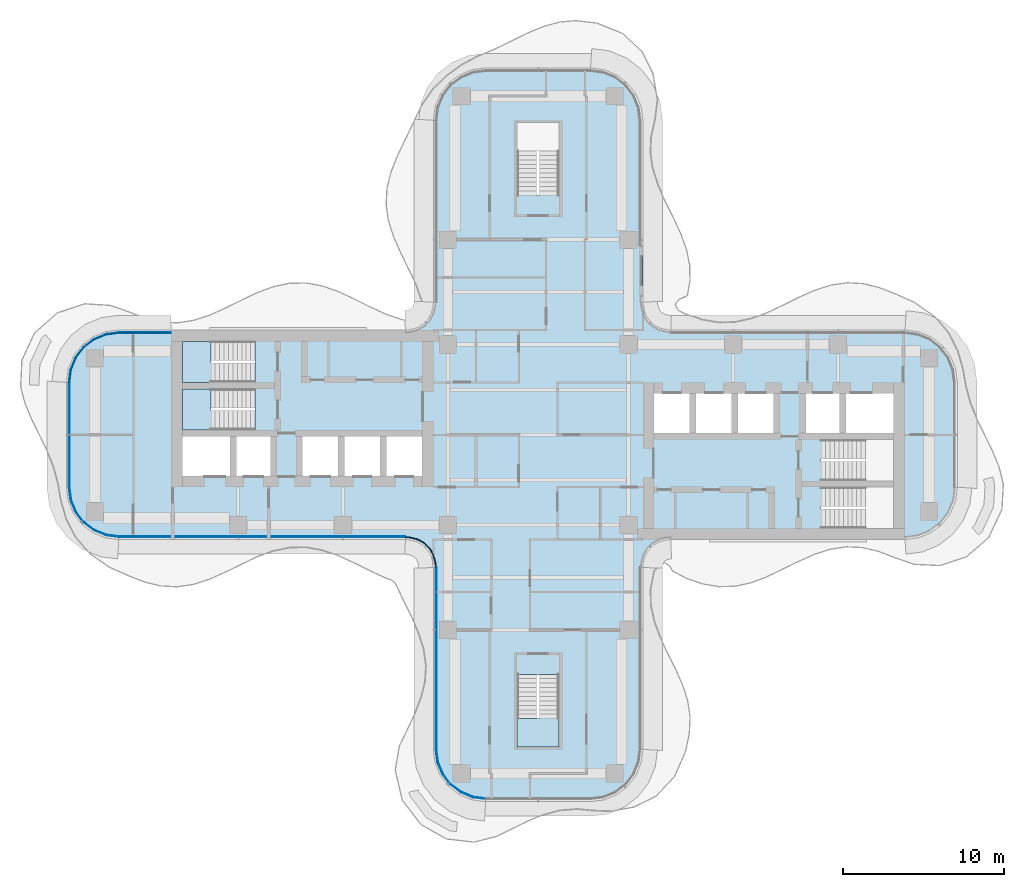
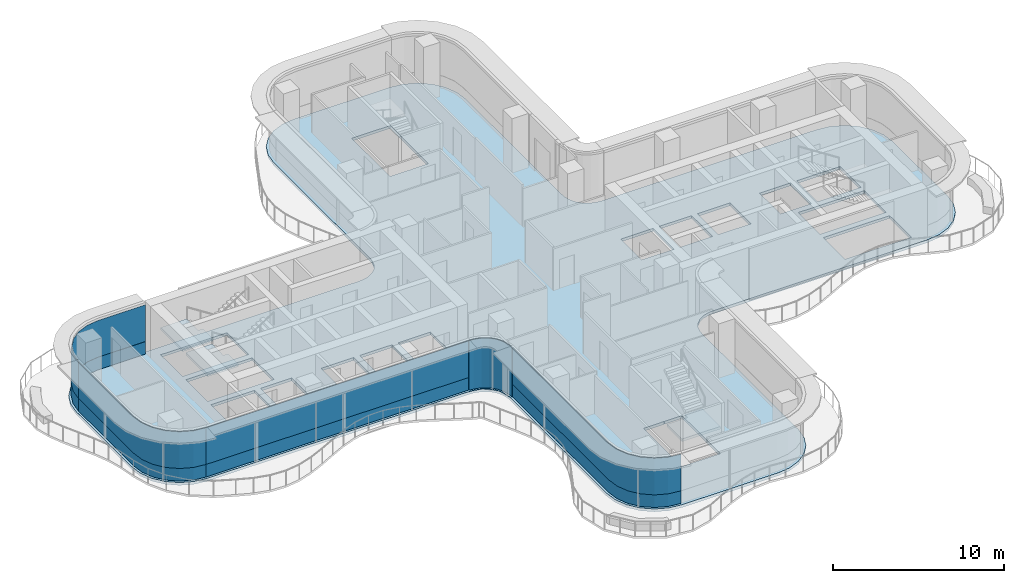
# One storey, part 8 of 17: 9 plates, 4 slabs, 8 elements without a shape of their own.
"""IFC4 building model written with IfcOpenShell, lengths in metres."""

from ifc_helpers import new_model, si_unit, direction, frame, origin, place, context, subcontext, project, spatial, polyline, outline, extrude, source, transform, mapped, material, layer, layer_set, type_object, element, aggregate, save


model = new_model("IFC4")

# Units and contexts
model_context = context("Model", 3, precision=1e-05, world=origin(), true_north=direction((0.0, 1.0)))
body_context = subcontext(model_context, "Body", "Model", "MODEL_VIEW")
ifc_project = project(units=[si_unit("LENGTHUNIT", "METRE"), si_unit("AREAUNIT", "SQUARE_METRE"), si_unit("VOLUMEUNIT", "CUBIC_METRE"), si_unit("PLANEANGLEUNIT", "RADIAN"), si_unit("MASSUNIT", "GRAM", prefix="KILO")], contexts=[model_context])

# Site, building, storey
site_placement = place(None, origin())
site = spatial("IfcSite", under=ifc_project, at=site_placement, CompositionType="ELEMENT")
building_placement = place(site_placement, origin())
building = spatial("IfcBuilding", under=site, at=building_placement, Name="Trellis Farm Tower", CompositionType="ELEMENT")
storey_placement = place(building_placement, frame((0.0, 0.0, 259.699951171875)))
storey = spatial("IfcBuildingStorey", under=building, at=storey_placement, Name="L58", CompositionType="ELEMENT", Elevation=259.699951171875)

# Slab
ifc_material_1 = material(Name="Concrete C40/50", Category="concrete")
ifc_layer_1 = layer(ifc_material_1, 0.199951171875)
ifc_layer_set_1 = layer_set([ifc_layer_1], Name="Composite deck floor slab 200")
slab_type_1 = type_object("IfcSlabType", Name="Composite deck floor slab 200", PredefinedType="FLOOR", material=ifc_layer_set_1)
shared_shape_1 = source(origin(), body_context, "Body", "SweptSolid", [
    extrude(outline(polyline([(-26.84130859375, -6.389404296875), (-27.625, -6.064697265625), (-28.298095703125, -5.548095703125), (-28.814697265625, -4.875), (-29.139404296875, -4.09130859375), (-29.25, -3.25), (-29.25, 3.25), (-29.139404296875, 4.09130859375), (-28.814697265625, 4.875), (-28.298095703125, 5.548095703125), (-27.625, 6.064697265625), (-26.84130859375, 6.389404296875), (-26.0, 6.5), (-8.2314453125, 6.5), (-8.01953125, 6.513916015625), (-7.91552734375, 6.527587890625), (-7.508544921875, 6.63671875), (-7.144287109375, 6.846923828125), (-6.846923828125, 7.144287109375), (-6.63671875, 7.508544921875), (-6.527587890625, 7.91552734375), (-6.513916015625, 8.01953125), (-6.5, 8.2314453125), (-6.5, 19.5), (-6.389404296875, 20.34130859375), (-6.064697265625, 21.125), (-5.548095703125, 21.798095703125), (-4.875, 22.314697265625), (-4.09130859375, 22.639404296875), (-3.25, 22.75), (3.25, 22.75), (4.09130859375, 22.639404296875), (4.875, 22.314697265625), (5.548095703125, 21.798095703125), (6.064697265625, 21.125), (6.389404296875, 20.34130859375), (6.5, 19.5), (6.5, 8.2314453125), (6.513916015625, 8.01953125), (6.527587890625, 7.91552734375), (6.63671875, 7.508544921875), (6.846923828125, 7.144287109375), (7.144287109375, 6.846923828125), (7.508544921875, 6.63671875), (7.91552734375, 6.527587890625), (8.01953125, 6.513916015625), (8.2314453125, 6.5), (22.75, 6.5), (23.59130859375, 6.389404296875), (24.375, 6.064697265625), (25.048095703125, 5.548095703125), (25.564697265625, 4.875), (25.889404296875, 4.09130859375), (26.0, 3.25), (26.0, -3.25), (25.889404296875, -4.09130859375), (25.564697265625, -4.875), (25.048095703125, -5.548095703125), (24.375, -6.064697265625), (23.59130859375, -6.389404296875), (22.75, -6.5), (8.2314453125, -6.5), (8.01953125, -6.513916015625), (7.91552734375, -6.527587890625), (7.508544921875, -6.63671875), (7.144287109375, -6.846923828125), (6.846923828125, -7.144287109375), (6.63671875, -7.508544921875), (6.527587890625, -7.91552734375), (6.513916015625, -8.01953125), (6.5, -8.2314453125), (6.5, -19.5), (6.389404296875, -20.34130859375), (6.064697265625, -21.125), (5.548095703125, -21.798095703125), (4.875, -22.314697265625), (4.09130859375, -22.639404296875), (3.25, -22.75), (-3.25, -22.75), (-4.09130859375, -22.639404296875), (-4.875, -22.314697265625), (-5.548095703125, -21.798095703125), (-6.064697265625, -21.125), (-6.389404296875, -20.34130859375), (-6.5, -19.5), (-6.5, -8.2314453125), (-6.513916015625, -8.01953125), (-6.527587890625, -7.91552734375), (-6.63671875, -7.508544921875), (-6.846923828125, -7.144287109375), (-7.144287109375, -6.846923828125), (-7.508544921875, -6.63671875), (-7.91552734375, -6.527587890625), (-8.01953125, -6.513916015625), (-8.2314453125, -6.5), (-26.0, -6.5), (-26.84130859375, -6.389404296875)]), holes=[polyline([(-22.050048828125, -0.10009765625), (-22.050048828125, -2.550048828125), (-19.10009765625, -2.550048828125), (-19.10009765625, -0.10009765625), (-22.050048828125, -0.10009765625)]), polyline([(-18.699951171875, -0.10009765625), (-18.699951171875, -2.550048828125), (-16.60009765625, -2.550048828125), (-16.60009765625, -0.10009765625), (-18.699951171875, -0.10009765625)]), polyline([(-14.60009765625, -0.10009765625), (-14.60009765625, -2.550048828125), (-12.39990234375, -2.550048828125), (-12.39990234375, -0.10009765625), (-14.60009765625, -0.10009765625)]), polyline([(-12.0, -0.10009765625), (-12.0, -2.550048828125), (-9.800048828125, -2.550048828125), (-9.800048828125, -0.10009765625), (-12.0, -0.10009765625)]), polyline([(-9.39990234375, -0.10009765625), (-9.39990234375, -2.550048828125), (-7.199951171875, -2.550048828125), (-7.199951171875, -0.10009765625), (-9.39990234375, -0.10009765625)]), polyline([(-17.56201171875, 1.64990234375), (-17.56201171875, 2.85009765625), (-22.050048828125, 2.85009765625), (-22.050048828125, 0.300048828125), (-17.56005859375, 0.300048828125), (-17.56005859375, 1.5), (-17.550048828125, 1.5), (-17.550048828125, 1.64990234375), (-17.56201171875, 1.64990234375)]), polyline([(-17.56201171875, 4.60009765625), (-17.56201171875, 5.800048828125), (-22.050048828125, 5.800048828125), (-22.050048828125, 3.25), (-17.56005859375, 3.25), (-17.56005859375, 4.449951171875), (-17.550048828125, 4.449951171875), (-17.550048828125, 4.60009765625), (-17.56201171875, 4.60009765625)]), polyline([(0.10009765625, 14.862060546875), (1.300048828125, 14.862060546875), (1.300048828125, 19.35009765625), (-1.300048828125, 19.35009765625), (-1.300048828125, 14.860107421875), (-0.10009765625, 14.860107421875), (-0.10009765625, 14.85009765625), (0.10009765625, 14.85009765625), (0.10009765625, 14.862060546875)]), polyline([(-0.10009765625, -14.862060546875), (-1.300048828125, -14.862060546875), (-1.300048828125, -19.35009765625), (1.300048828125, -19.35009765625), (1.300048828125, -14.860107421875), (0.10009765625, -14.860107421875), (0.10009765625, -14.85009765625), (-0.10009765625, -14.85009765625), (-0.10009765625, -14.862060546875)]), polyline([(17.56201171875, -4.60009765625), (17.56201171875, -5.800048828125), (22.050048828125, -5.800048828125), (22.050048828125, -3.25), (17.56005859375, -3.25), (17.56005859375, -4.449951171875), (17.550048828125, -4.449951171875), (17.550048828125, -4.60009765625), (17.56201171875, -4.60009765625)]), polyline([(17.56201171875, -1.64990234375), (17.56201171875, -2.85009765625), (22.050048828125, -2.85009765625), (22.050048828125, -0.300048828125), (17.56005859375, -0.300048828125), (17.56005859375, -1.5), (17.550048828125, -1.5), (17.550048828125, -1.64990234375), (17.56201171875, -1.64990234375)]), polyline([(9.39990234375, 0.10009765625), (9.39990234375, 2.550048828125), (7.199951171875, 2.550048828125), (7.199951171875, 0.10009765625), (9.39990234375, 0.10009765625)]), polyline([(12.0, 0.10009765625), (12.0, 2.550048828125), (9.800048828125, 2.550048828125), (9.800048828125, 0.10009765625), (12.0, 0.10009765625)]), polyline([(14.60009765625, 0.10009765625), (14.60009765625, 2.550048828125), (12.39990234375, 2.550048828125), (12.39990234375, 0.10009765625), (14.60009765625, 0.10009765625)]), polyline([(18.699951171875, 0.10009765625), (18.699951171875, 2.550048828125), (16.60009765625, 2.550048828125), (16.60009765625, 0.10009765625), (18.699951171875, 0.10009765625)]), polyline([(22.050048828125, 0.10009765625), (22.050048828125, 2.550048828125), (19.10009765625, 2.550048828125), (19.10009765625, 0.10009765625), (22.050048828125, 0.10009765625)])]), origin(), (0.0, 0.0, 1.0), 0.199951171875),
])
slab_1_placement = place(storey_placement, frame((0.0, 0.0, -0.199951171875)))
element("IfcSlab", 1, at=slab_1_placement, inside=storey, type_object=slab_type_1, Name="Floor slab", PredefinedType="FLOOR", context=body_context, shape_type="MappedRepresentation", body=[
    mapped(shared_shape_1, transform((0.0, 0.0, 0.0))),
])

# Stair, slab
ifc_material_2 = material(Name="Concrete C50/60", Category="concrete")
stair_type = type_object("IfcStairType", Name="CORE EXIT STAIR 22 RISERS 177 MM", PredefinedType="HALF_TURN_STAIR", material=ifc_material_2)
placement_1 = place(storey_placement, origin())
stair_1 = element("IfcStair", 2, at=placement_1, inside=storey, type_object=stair_type, Name="Exit stair S", PredefinedType="HALF_TURN_STAIR")
ifc_layer_2 = layer(ifc_material_2, 0.18994140625)
ifc_layer_set_2 = layer_set([ifc_layer_2], Name="CORE STAIR LANDING 190 CONCRETE C50/60")
slab_type_2 = type_object("IfcSlabType", Name="CORE STAIR LANDING 190 CONCRETE C50/60", PredefinedType="LANDING", material=ifc_layer_set_2)
shared_shape_2 = source(origin(), body_context, "Body", "SweptSolid", [
    extrude(outline(polyline([(1.300048828125, -19.35009765625), (-1.300048828125, -19.35009765625), (-1.300048828125, -17.60009765625), (-1.300048828125, -17.590087890625), (-0.10009765625, -17.590087890625), (-0.10009765625, -17.60009765625), (0.10009765625, -17.60009765625), (0.10009765625, -17.27197265625), (1.300048828125, -17.27197265625), (1.300048828125, -17.60009765625), (1.300048828125, -19.35009765625)])), origin(), (0.0, 0.0, 1.0), 0.18994140625),
])
placement_2 = place(storey_placement, frame((0.0, 0.0, 1.760009765625)))
slab_2 = element("IfcSlab", 3, at=placement_2, type_object=slab_type_2, Name="STS landing 1", PredefinedType="LANDING", context=body_context, shape_type="MappedRepresentation", body=[
    mapped(shared_shape_2, transform((0.0, 0.0, 0.0))),
])
aggregate(stair_1, [slab_2])

stair_2 = element("IfcStair", 4, at=placement_1, inside=storey, type_object=stair_type, Name="Exit stair W1", PredefinedType="HALF_TURN_STAIR")
shared_shape_3 = source(origin(), body_context, "Body", "SweptSolid", [
    extrude(outline(polyline([(-19.971923828125, 4.449951171875), (-19.971923828125, 3.25), (-20.300048828125, 3.25), (-22.050048828125, 3.25), (-22.050048828125, 5.800048828125), (-20.300048828125, 5.800048828125), (-20.2900390625, 5.800048828125), (-20.2900390625, 4.60009765625), (-20.300048828125, 4.60009765625), (-20.300048828125, 4.449951171875), (-19.971923828125, 4.449951171875)])), origin(), (0.0, 0.0, 1.0), 0.18994140625),
])
slab_3 = element("IfcSlab", 5, at=placement_2, type_object=slab_type_2, Name="STW1 landing 1", PredefinedType="LANDING", context=body_context, shape_type="MappedRepresentation", body=[
    mapped(shared_shape_3, transform((0.0, 0.0, 0.0))),
])
aggregate(stair_2, [slab_3])

stair_3 = element("IfcStair", 6, at=placement_1, inside=storey, type_object=stair_type, Name="Exit stair W2", PredefinedType="HALF_TURN_STAIR")
shared_shape_4 = source(origin(), body_context, "Body", "SweptSolid", [
    extrude(outline(polyline([(-19.971923828125, 1.5), (-19.971923828125, 0.300048828125), (-20.300048828125, 0.300048828125), (-22.050048828125, 0.300048828125), (-22.050048828125, 2.85009765625), (-20.300048828125, 2.85009765625), (-20.2900390625, 2.85009765625), (-20.2900390625, 1.64990234375), (-20.300048828125, 1.64990234375), (-20.300048828125, 1.5), (-19.971923828125, 1.5)])), origin(), (0.0, 0.0, 1.0), 0.18994140625),
])
slab_4 = element("IfcSlab", 7, at=placement_2, type_object=slab_type_2, Name="STW2 landing 1", PredefinedType="LANDING", context=body_context, shape_type="MappedRepresentation", body=[
    mapped(shared_shape_4, transform((0.0, 0.0, 0.0))),
])
aggregate(stair_3, [slab_4])

# Curtain wall, plate
ifc_material_3 = material(Name="Aluminium and glass curtain wall", Category="aluminium")
ifc_layer_3 = layer(ifc_material_3, 0.166015625)
ifc_layer_set_3 = layer_set([ifc_layer_3], Name="WINTER GARDEN CURTAIN WALL CW3")
curtain_wall_type_1 = type_object("IfcCurtainWallType", Name="WINTER GARDEN CURTAIN WALL CW3", PredefinedType="NOTDEFINED", material=ifc_layer_set_3)
curtain_wall_1 = element("IfcCurtainWall", 8, at=placement_1, inside=storey, type_object=curtain_wall_type_1, Name="CW3 001", PredefinedType="NOTDEFINED")
ifc_material_4 = material(Name="Clear insulated glass", Category="glass")
ifc_layer_4 = layer(ifc_material_4, 0.0458984375)
ifc_layer_set_4 = layer_set([ifc_layer_4], Name="CW3 GLASS PANEL 46")
plate_type_1 = type_object("IfcPlateType", Name="CW3 GLASS PANEL 46", PredefinedType="CURTAIN_PANEL", material=ifc_layer_set_4)
shared_shape_5 = source(origin(), body_context, "Body", "SweptSolid", [
    extrude(outline(polyline([(-8.2275390625, -6.3798828125), (-8.0078125, -6.394287109375), (-7.89208984375, -6.40966796875), (-7.462158203125, -6.52490234375), (-7.070556640625, -6.7509765625), (-6.7509765625, -7.070556640625), (-6.52490234375, -7.462158203125), (-6.40966796875, -7.89208984375), (-6.394287109375, -8.0078125), (-6.3798828125, -8.2275390625), (-6.333984375, -8.22607421875), (-6.3486328125, -8.003173828125), (-6.364501953125, -7.883056640625), (-6.48193359375, -7.4443359375), (-6.714111328125, -7.04248046875), (-7.04248046875, -6.714111328125), (-7.4443359375, -6.48193359375), (-7.883056640625, -6.364501953125), (-8.003173828125, -6.3486328125), (-8.22607421875, -6.333984375), (-8.2275390625, -6.3798828125)])), origin(), (0.0, 0.0, 1.0), 3.550048828125),
])
plate_1 = element("IfcPlate", 9, at=placement_1, type_object=plate_type_1, Name="PL3 001", PredefinedType="CURTAIN_PANEL", context=body_context, shape_type="MappedRepresentation", body=[
    mapped(shared_shape_5, transform((0.0, 0.0, 0.0))),
])
aggregate(curtain_wall_1, [plate_1])

# Curtain wall, plates
ifc_layer_5 = layer(ifc_material_3, 0.18994140625)
ifc_layer_set_5 = layer_set([ifc_layer_5], Name="RIBBON CURTAIN WALL CW1")
curtain_wall_type_2 = type_object("IfcCurtainWallType", Name="RIBBON CURTAIN WALL CW1", PredefinedType="NOTDEFINED", material=ifc_layer_set_5)
curtain_wall_2 = element("IfcCurtainWall", 10, at=placement_1, inside=storey, type_object=curtain_wall_type_2, Name="CW1 001", PredefinedType="NOTDEFINED")
ifc_layer_6 = layer(ifc_material_4, 0.0400390625)
ifc_layer_set_6 = layer_set([ifc_layer_6], Name="CW1 GLASS PANEL 40")
plate_type_2 = type_object("IfcPlateType", Name="CW1 GLASS PANEL 40", PredefinedType="CURTAIN_PANEL", material=ifc_layer_set_6)
shared_shape_6 = source(origin(), body_context, "Body", "SweptSolid", [
    extrude(outline(polyline([(-25.990234375, -6.35009765625), (-8.2265625, -6.35009765625), (-8.22509765625, -6.31005859375), (-25.987548828125, -6.31005859375), (-25.990234375, -6.35009765625)])), origin(), (0.0, 0.0, 1.0), 2.619873046875),
])
placement_3 = place(storey_placement, frame((0.0, 0.0, 0.900146484375)))
plate_2 = element("IfcPlate", 11, at=placement_3, type_object=plate_type_2, Name="PL1 001", PredefinedType="CURTAIN_PANEL", context=body_context, shape_type="MappedRepresentation", body=[
    mapped(shared_shape_6, transform((0.0, 0.0, 0.0))),
])
ifc_material_5 = material(Name="Sandstone faced insulated panel", Category="masonry")
ifc_layer_7 = layer(ifc_material_5, 0.050048828125)
ifc_layer_set_7 = layer_set([ifc_layer_7], Name="CW1 STONE SPANDREL PANEL 50")
plate_type_3 = type_object("IfcPlateType", Name="CW1 STONE SPANDREL PANEL 50", PredefinedType="CURTAIN_PANEL", material=ifc_layer_set_7)
shared_shape_7 = source(origin(), body_context, "Body", "SweptSolid", [
    extrude(outline(polyline([(-25.990234375, -6.35009765625), (-8.2265625, -6.35009765625), (-8.224853515625, -6.300048828125), (-25.98681640625, -6.300048828125), (-25.990234375, -6.35009765625)])), origin(), (0.0, 0.0, 1.0), 0.900146484375),
])
plate_3 = element("IfcPlate", 12, at=placement_1, type_object=plate_type_3, Name="PS1 001", PredefinedType="CURTAIN_PANEL", context=body_context, shape_type="MappedRepresentation", body=[
    mapped(shared_shape_7, transform((0.0, 0.0, 0.0))),
])
aggregate(curtain_wall_2, [plate_2, plate_3])

curtain_wall_3 = element("IfcCurtainWall", 13, at=placement_1, inside=storey, type_object=curtain_wall_type_2, Name="CW1 012", PredefinedType="NOTDEFINED")
shared_shape_8 = source(origin(), body_context, "Body", "SweptSolid", [
    extrude(outline(polyline([(-22.780029296875, 6.35009765625), (-25.990234375, 6.35009765625), (-26.802001953125, 6.2431640625), (-27.54931640625, 5.93359375), (-28.191162109375, 5.441162109375), (-28.68359375, 4.79931640625), (-28.9931640625, 4.052001953125), (-29.10009765625, 3.240234375), (-29.06005859375, 3.237548828125), (-28.9541015625, 4.04150390625), (-28.648681640625, 4.779296875), (-28.16259765625, 5.41259765625), (-27.529296875, 5.898681640625), (-26.79150390625, 6.2041015625), (-25.987548828125, 6.31005859375), (-22.780029296875, 6.31005859375), (-22.780029296875, 6.35009765625)])), origin(), (0.0, 0.0, 1.0), 2.619873046875),
])
plate_4 = element("IfcPlate", 14, at=placement_3, type_object=plate_type_2, Name="PL1 012", PredefinedType="CURTAIN_PANEL", context=body_context, shape_type="MappedRepresentation", body=[
    mapped(shared_shape_8, transform((0.0, 0.0, 0.0))),
])
shared_shape_9 = source(origin(), body_context, "Body", "SweptSolid", [
    extrude(outline(polyline([(-22.780029296875, 6.35009765625), (-25.990234375, 6.35009765625), (-26.802001953125, 6.2431640625), (-27.54931640625, 5.93359375), (-28.191162109375, 5.441162109375), (-28.68359375, 4.79931640625), (-28.9931640625, 4.052001953125), (-29.10009765625, 3.240234375), (-29.050048828125, 3.23681640625), (-28.9443359375, 4.0390625), (-28.639892578125, 4.774169921875), (-28.155517578125, 5.405517578125), (-27.524169921875, 5.889892578125), (-26.7890625, 6.1943359375), (-25.98681640625, 6.300048828125), (-22.780029296875, 6.300048828125), (-22.780029296875, 6.35009765625)])), origin(), (0.0, 0.0, 1.0), 0.900146484375),
])
plate_5 = element("IfcPlate", 15, at=placement_1, type_object=plate_type_3, Name="PS1 012", PredefinedType="CURTAIN_PANEL", context=body_context, shape_type="MappedRepresentation", body=[
    mapped(shared_shape_9, transform((0.0, 0.0, 0.0))),
])
aggregate(curtain_wall_3, [plate_4, plate_5])

curtain_wall_4 = element("IfcCurtainWall", 16, at=placement_1, inside=storey, type_object=curtain_wall_type_2, Name="CW1 013", PredefinedType="NOTDEFINED")
shared_shape_10 = source(origin(), body_context, "Body", "SweptSolid", [
    extrude(outline(polyline([(-29.10009765625, 3.240234375), (-29.10009765625, -3.240234375), (-28.9931640625, -4.052001953125), (-28.68359375, -4.79931640625), (-28.191162109375, -5.441162109375), (-27.54931640625, -5.93359375), (-26.802001953125, -6.2431640625), (-25.990234375, -6.35009765625), (-25.987548828125, -6.31005859375), (-26.79150390625, -6.2041015625), (-27.529296875, -5.898681640625), (-28.16259765625, -5.41259765625), (-28.648681640625, -4.779296875), (-28.9541015625, -4.04150390625), (-29.06005859375, -3.237548828125), (-29.06005859375, 3.237548828125), (-29.10009765625, 3.240234375)])), origin(), (0.0, 0.0, 1.0), 2.619873046875),
])
plate_6 = element("IfcPlate", 17, at=placement_3, type_object=plate_type_2, Name="PL1 013", PredefinedType="CURTAIN_PANEL", context=body_context, shape_type="MappedRepresentation", body=[
    mapped(shared_shape_10, transform((0.0, 0.0, 0.0))),
])
shared_shape_11 = source(origin(), body_context, "Body", "SweptSolid", [
    extrude(outline(polyline([(-29.10009765625, 3.240234375), (-29.10009765625, -3.240234375), (-28.9931640625, -4.052001953125), (-28.68359375, -4.79931640625), (-28.191162109375, -5.441162109375), (-27.54931640625, -5.93359375), (-26.802001953125, -6.2431640625), (-25.990234375, -6.35009765625), (-25.98681640625, -6.300048828125), (-26.7890625, -6.1943359375), (-27.524169921875, -5.889892578125), (-28.155517578125, -5.405517578125), (-28.639892578125, -4.774169921875), (-28.9443359375, -4.0390625), (-29.050048828125, -3.23681640625), (-29.050048828125, 3.23681640625), (-29.10009765625, 3.240234375)])), origin(), (0.0, 0.0, 1.0), 0.900146484375),
])
plate_7 = element("IfcPlate", 18, at=placement_1, type_object=plate_type_3, Name="PS1 013", PredefinedType="CURTAIN_PANEL", context=body_context, shape_type="MappedRepresentation", body=[
    mapped(shared_shape_11, transform((0.0, 0.0, 0.0))),
])
aggregate(curtain_wall_4, [plate_6, plate_7])

curtain_wall_5 = element("IfcCurtainWall", 19, at=placement_1, inside=storey, type_object=curtain_wall_type_2, Name="CW1 002", PredefinedType="NOTDEFINED")
shared_shape_12 = source(origin(), body_context, "Body", "SweptSolid", [
    extrude(outline(polyline([(-6.35009765625, -8.2265625), (-6.35009765625, -19.490234375), (-6.2431640625, -20.302001953125), (-5.93359375, -21.04931640625), (-5.441162109375, -21.691162109375), (-4.79931640625, -22.18359375), (-4.052001953125, -22.4931640625), (-3.240234375, -22.60009765625), (-3.237548828125, -22.56005859375), (-4.04150390625, -22.4541015625), (-4.779296875, -22.148681640625), (-5.41259765625, -21.66259765625), (-5.898681640625, -21.029296875), (-6.2041015625, -20.29150390625), (-6.31005859375, -19.487548828125), (-6.31005859375, -8.22509765625), (-6.35009765625, -8.2265625)])), origin(), (0.0, 0.0, 1.0), 2.619873046875),
])
plate_8 = element("IfcPlate", 20, at=placement_3, type_object=plate_type_2, Name="PL1 002", PredefinedType="CURTAIN_PANEL", context=body_context, shape_type="MappedRepresentation", body=[
    mapped(shared_shape_12, transform((0.0, 0.0, 0.0))),
])
shared_shape_13 = source(origin(), body_context, "Body", "SweptSolid", [
    extrude(outline(polyline([(-6.35009765625, -8.2265625), (-6.35009765625, -19.490234375), (-6.2431640625, -20.302001953125), (-5.93359375, -21.04931640625), (-5.441162109375, -21.691162109375), (-4.79931640625, -22.18359375), (-4.052001953125, -22.4931640625), (-3.240234375, -22.60009765625), (-3.23681640625, -22.550048828125), (-4.0390625, -22.4443359375), (-4.774169921875, -22.139892578125), (-5.405517578125, -21.655517578125), (-5.889892578125, -21.024169921875), (-6.1943359375, -20.2890625), (-6.300048828125, -19.48681640625), (-6.300048828125, -8.224853515625), (-6.35009765625, -8.2265625)])), origin(), (0.0, 0.0, 1.0), 0.900146484375),
])
plate_9 = element("IfcPlate", 21, at=placement_1, type_object=plate_type_3, Name="PS1 002", PredefinedType="CURTAIN_PANEL", context=body_context, shape_type="MappedRepresentation", body=[
    mapped(shared_shape_13, transform((0.0, 0.0, 0.0))),
])
aggregate(curtain_wall_5, [plate_8, plate_9])

save(model, "model.ifc")
